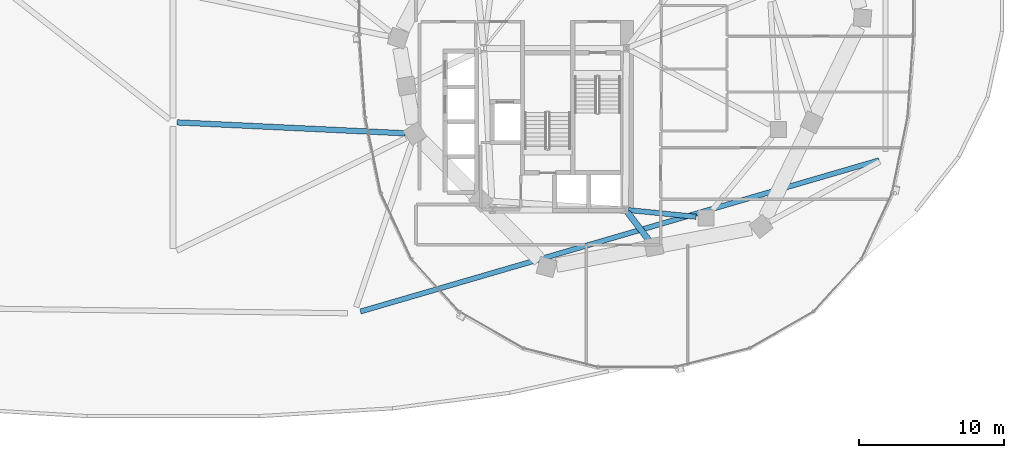
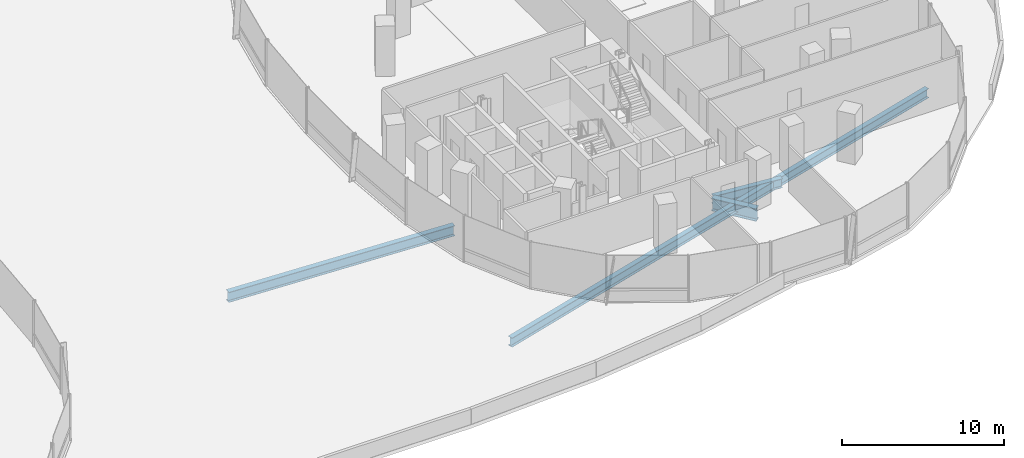
# One storey, part 10 of 28: 4 beams.
"""IFC4 building model written with IfcOpenShell, lengths in metres."""

from ifc_helpers import new_model, si_unit, direction, frame, origin, origin_2d, place, context, subcontext, project, spatial, i_section, extrude, material, material_profile, profile_set, type_object, element, save


model = new_model("IFC4")

# Units and contexts
model_context = context("Model", 3, precision=1e-05, world=origin(), true_north=direction((0.0, 1.0)))
body_context = subcontext(model_context, "Body", "Model", "MODEL_VIEW")
ifc_project = project(units=[si_unit("LENGTHUNIT", "METRE"), si_unit("AREAUNIT", "SQUARE_METRE"), si_unit("VOLUMEUNIT", "CUBIC_METRE"), si_unit("PLANEANGLEUNIT", "RADIAN"), si_unit("MASSUNIT", "GRAM", prefix="KILO"), si_unit("THERMODYNAMICTEMPERATUREUNIT", "KELVIN"), si_unit("POWERUNIT", "WATT")], contexts=[model_context])

# Site, building, storey
site_placement = place(None, origin())
site = spatial("IfcSite", under=ifc_project, at=site_placement, CompositionType="ELEMENT")
building_placement = place(site_placement, origin())
building = spatial("IfcBuilding", under=site, at=building_placement, Name="Cundina Bronze Exchange", CompositionType="ELEMENT")
storey_placement = place(building_placement, frame((0.0, 0.0, 24.0)))
storey = spatial("IfcBuildingStorey", under=building, at=storey_placement, Name="L05", CompositionType="ELEMENT", Elevation=24.0)

# Beams
ifc_material = material(Name="Steel ASTM A992 Grade 50", Category="steel")
ifc_material_profile_1 = material_profile(ifc_material, i_section(OverallWidth=0.35498046875, OverallDepth=0.695068359375, WebThickness=0.015380859375, FlangeThickness=0.02490234375, FilletRadius=0.01806640625, at=origin_2d()), Name="W27X146", Category="steel")
ifc_profile_set_1 = profile_set([ifc_material_profile_1], Name="Steel ASTM A992 Grade 50")
beam_type_1 = type_object("IfcBeamType", Name="BM-RING-W27", PredefinedType="USERDEFINED", material=ifc_profile_set_1)
beam_1_placement = place(storey_placement, frame((31.452880859375, -15.070068359375, -0.6474609375), z_axis=(0.995123484374, -0.098636964914, 0.0), x_axis=(0.098636964914, 0.995123484374, 0.0)))
element("IfcBeam", 1, at=beam_1_placement, inside=storey, type_object=beam_type_1, Name="L05 E Inner Structural Ring Girder 01", ObjectType="GIRDER", PredefinedType="USERDEFINED", context=body_context, shape_type="SweptSolid", body=[
    extrude(i_section(OverallWidth=0.35498046875, OverallDepth=0.695068359375, WebThickness=0.015380859375, FlangeThickness=0.02490234375, FilletRadius=0.01806640625, at=origin_2d()), origin(), (0.0, 0.0, 1.0), 4.685546875),
])
beam_2_placement = place(storey_placement, frame((12.944580078125, -22.0703125, -0.652587890625), z_axis=(0.960030342111, 0.279895948926, 0.0), x_axis=(-0.279895948926, 0.960030342111, 0.0)))
element("IfcBeam", 2, at=beam_2_placement, inside=storey, type_object=beam_type_1, Name="L05 Podium Roof Edge Girder 08", ObjectType="GIRDER", PredefinedType="USERDEFINED", context=body_context, shape_type="SweptSolid", body=[
    extrude(i_section(OverallWidth=0.35498046875, OverallDepth=0.695068359375, WebThickness=0.015380859375, FlangeThickness=0.02490234375, FilletRadius=0.01806640625, at=origin_2d()), origin(), (0.0, 0.0, 1.0), 37.302001953125),
])
ifc_material_profile_2 = material_profile(ifc_material, i_section(OverallWidth=0.381103515625, OverallDepth=0.77294921875, WebThickness=0.0166015625, FlangeThickness=0.027099609375, FilletRadius=0.01904296875, at=origin_2d()), Name="W30X173", Category="steel")
ifc_profile_set_2 = profile_set([ifc_material_profile_2], Name="Steel ASTM A992 Grade 50")
beam_type_2 = type_object("IfcBeamType", Name="BM-RING-W30", PredefinedType="USERDEFINED", material=ifc_profile_set_2)
beam_3_placement = place(storey_placement, frame((0.28759765625, -9.013916015625, -0.69140625), z_axis=(0.998854942473, -0.047841445389, 0.0), x_axis=(0.047841445389, 0.998854942473, 0.0)))
element("IfcBeam", 3, at=beam_3_placement, inside=storey, type_object=beam_type_2, Name="L05 Concourse East Span Girder 02", ObjectType="GIRDER", PredefinedType="USERDEFINED", context=body_context, shape_type="SweptSolid", body=[
    extrude(i_section(OverallWidth=0.381103515625, OverallDepth=0.77294921875, WebThickness=0.0166015625, FlangeThickness=0.027099609375, FilletRadius=0.01904296875, at=origin_2d()), origin(), (0.0, 0.0, 1.0), 15.7431640625),
])
ifc_material_profile_3 = material_profile(ifc_material, i_section(OverallWidth=0.423095703125, OverallDepth=0.947998046875, WebThickness=0.02392578125, FlangeThickness=0.042724609375, FilletRadius=0.02392578125, at=origin_2d()), Name="W36X302", Category="steel")
ifc_profile_set_3 = profile_set([ifc_material_profile_3], Name="Steel ASTM A992 Grade 50")
beam_type_3 = type_object("IfcBeamType", Name="BM-WRN-W36A", PredefinedType="USERDEFINED", material=ifc_profile_set_3)
beam_4_placement = place(storey_placement, frame((31.373779296875, -15.2119140625, -0.77392578125), z_axis=(0.607432021903, -0.794371662868, 0.0), x_axis=(0.794371662868, 0.607432021903, 0.0)))
element("IfcBeam", 4, at=beam_4_placement, inside=storey, type_object=beam_type_3, Name="L05 E Transfer Radial Tie Girder 05", ObjectType="GIRDER", PredefinedType="USERDEFINED", context=body_context, shape_type="SweptSolid", body=[
    extrude(i_section(OverallWidth=0.423095703125, OverallDepth=0.947998046875, WebThickness=0.02392578125, FlangeThickness=0.042724609375, FilletRadius=0.02392578125, at=origin_2d()), origin(), (0.0, 0.0, 1.0), 3.00634765625),
])

save(model, "model.ifc")
